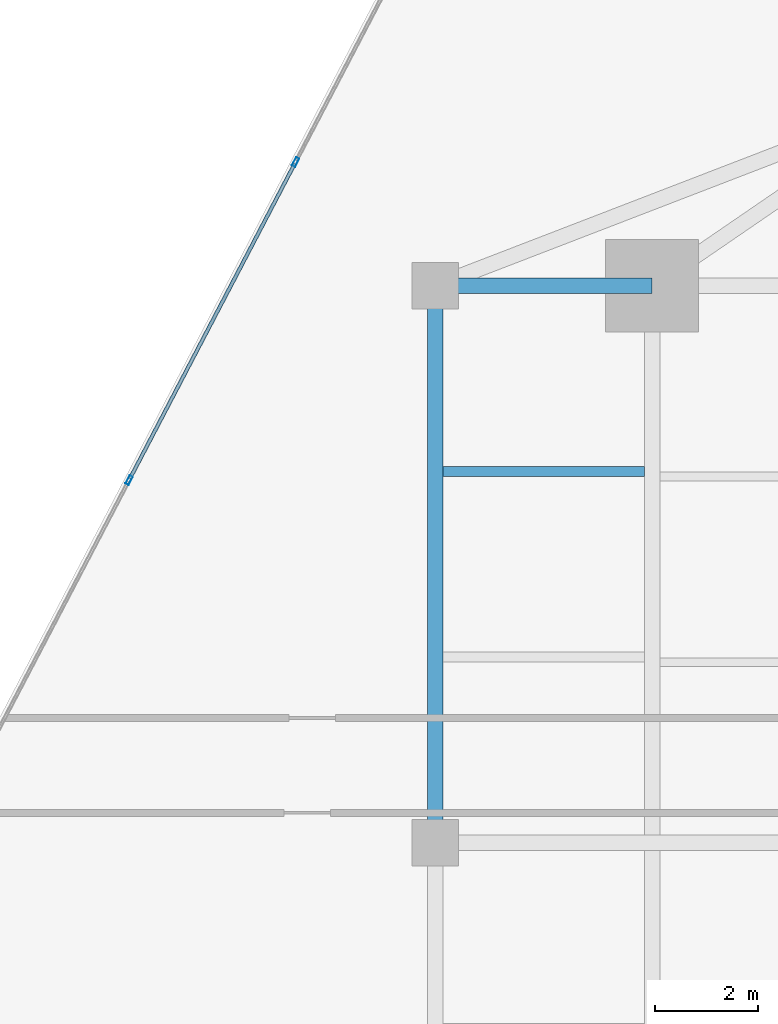
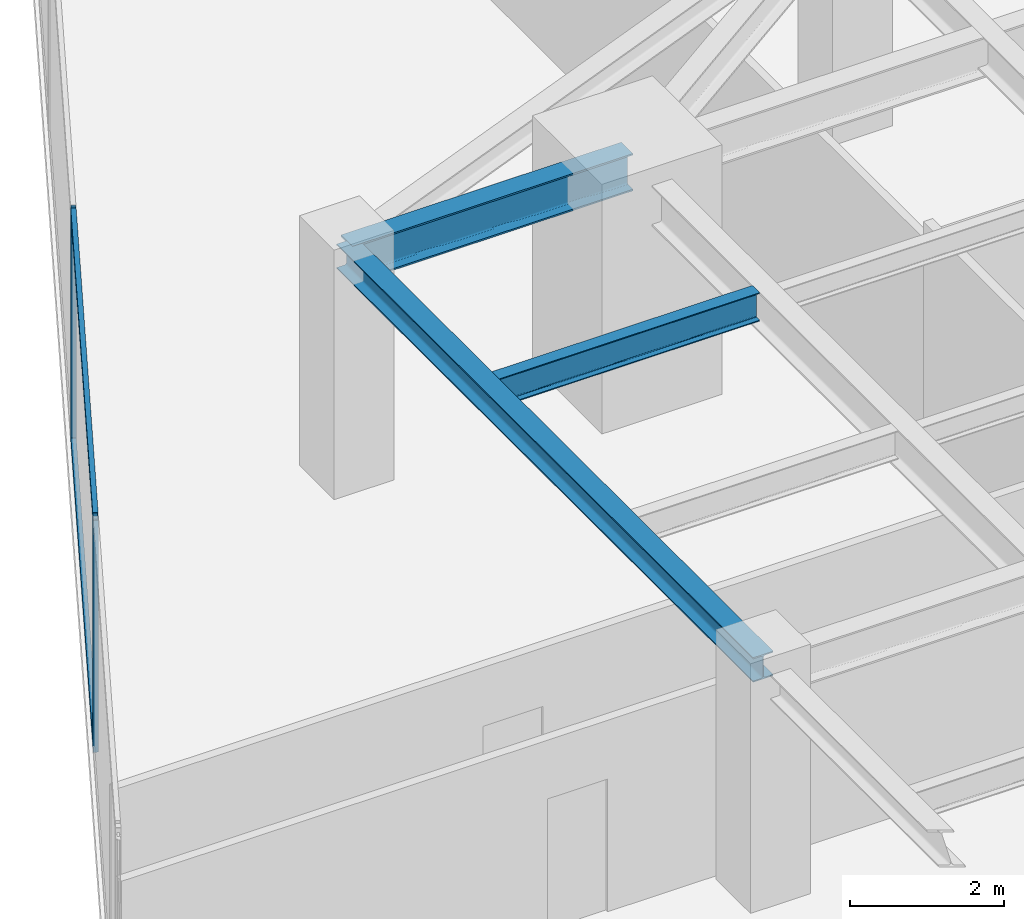
# One storey, part 13 of 27: 4 members, 3 beams, 1 element without a shape of its own.
"""IFC4 building model written with IfcOpenShell, lengths in metres."""

from ifc_helpers import new_model, si_unit, direction, frame, origin, origin_2d, place, context, subcontext, project, spatial, hollow_rectangle, i_section, extrude, source, transform, mapped, material, material_profile, profile_set, type_object, type_shapes, element, aggregate, save


model = new_model("IFC4")

# Units and contexts
model_context = context("Model", 3, precision=1e-05, world=origin(), true_north=direction((0.0, 1.0)))
body_context = subcontext(model_context, "Body", "Model", "MODEL_VIEW")
ifc_project = project(units=[si_unit("LENGTHUNIT", "METRE"), si_unit("AREAUNIT", "SQUARE_METRE"), si_unit("VOLUMEUNIT", "CUBIC_METRE"), si_unit("PLANEANGLEUNIT", "RADIAN"), si_unit("MASSUNIT", "GRAM", prefix="KILO")], contexts=[model_context])

# Site, building, storey
site_placement = place(None, origin())
site = spatial("IfcSite", under=ifc_project, at=site_placement, CompositionType="ELEMENT")
building_placement = place(site_placement, origin())
building = spatial("IfcBuilding", under=site, at=building_placement, Name="Krantzveldt Concourse Tower", CompositionType="ELEMENT")
storey_placement = place(building_placement, frame((0.0, 0.0, 154.10009765625)))
storey = spatial("IfcBuildingStorey", under=building, at=storey_placement, Name="L37", CompositionType="ELEMENT", Elevation=154.10009765625)

# Beams
ifc_material_1 = material(Name="Steel S355JR", Category="steel")
ifc_material_profile_1 = material_profile(ifc_material_1, i_section(OverallWidth=0.300048828125, OverallDepth=0.590087890625, WebThickness=0.012939453125, FlangeThickness=0.02490234375, FilletRadius=0.027099609375, at=origin_2d()), Name="Steel S355JR", Category="steel")
ifc_profile_set_1 = profile_set([ifc_material_profile_1], Name="Steel S355JR - HEA 600")
beam_type_1 = type_object("IfcBeamType", Name="BM-B-HEA600", PredefinedType="BEAM", material=ifc_profile_set_1)
shared_shape_1 = source(origin(), body_context, "Body", "SweptSolid", [
    extrude(i_section(OverallWidth=0.300048828125, OverallDepth=0.590087890625, WebThickness=0.012939453125, FlangeThickness=0.02490234375, FilletRadius=0.027099609375, at=origin_2d()), origin(), (0.0, 0.0, 1.0), 4.199951171875),
])
type_shapes(beam_type_1, [shared_shape_1])
beam_1_placement = place(storey_placement, frame((21.0, 37.5, 3.375), z_axis=(1.0, 0.0, 0.0), x_axis=(0.0, 1.0, 0.0)))
element("IfcBeam", 1, at=beam_1_placement, inside=storey, type_object=beam_type_1, Name="L37 Tower Girder BR-RL3", PredefinedType="BEAM", context=body_context, shape_type="MappedRepresentation", body=[
    mapped(shared_shape_1, transform((0.0, 0.0, 0.0), x_axis=(1.0, 0.0, 0.0), y_axis=(0.0, 1.0, 0.0), z_axis=(0.0, 0.0, 1.0), scale=1.0)),
])
ifc_material_profile_2 = material_profile(ifc_material_1, i_section(OverallWidth=0.300048828125, OverallDepth=0.389892578125, WebThickness=0.010986328125, FlangeThickness=0.01904296875, FilletRadius=0.027099609375, at=origin_2d()), Name="Steel S355JR", Category="steel")
ifc_profile_set_2 = profile_set([ifc_material_profile_2], Name="Steel S355JR - HEA 400")
beam_type_2 = type_object("IfcBeamType", Name="BM-SP-HEA400", PredefinedType="SPANDREL", material=ifc_profile_set_2)
shared_shape_2 = source(origin(), body_context, "Body", "SweptSolid", [
    extrude(i_section(OverallWidth=0.300048828125, OverallDepth=0.389892578125, WebThickness=0.010986328125, FlangeThickness=0.01904296875, FilletRadius=0.027099609375, at=origin_2d()), origin(), (0.0, 0.0, 1.0), 10.800048828125),
])
type_shapes(beam_type_2, [shared_shape_2])
beam_2_placement = place(storey_placement, frame((21.0, 26.699951171875, 3.474853515625), z_axis=(0.0, 1.0, 0.0), x_axis=(-1.0, 0.0, 0.0)))
element("IfcBeam", 2, at=beam_2_placement, inside=storey, type_object=beam_type_2, Name="L37 Tower Girder SP-R02", PredefinedType="SPANDREL", context=body_context, shape_type="MappedRepresentation", body=[
    mapped(shared_shape_2, transform((0.0, 0.0, 0.0), x_axis=(1.0, 0.0, 0.0), y_axis=(0.0, 1.0, 0.0), z_axis=(0.0, 0.0, 1.0), scale=1.0)),
])
ifc_material_profile_3 = material_profile(ifc_material_1, i_section(OverallWidth=0.18994140625, OverallDepth=0.449951171875, WebThickness=0.009521484375, FlangeThickness=0.0146484375, FilletRadius=0.02099609375, at=origin_2d()), Name="Steel S355JR", Category="steel")
ifc_profile_set_3 = profile_set([ifc_material_profile_3], Name="Steel S355JR - IPE 450")
beam_type_3 = type_object("IfcBeamType", Name="BM-J-IPE450", PredefinedType="JOIST", material=ifc_profile_set_3)
shared_shape_3 = source(origin(), body_context, "Body", "SweptSolid", [
    extrude(i_section(OverallWidth=0.18994140625, OverallDepth=0.449951171875, WebThickness=0.009521484375, FlangeThickness=0.0146484375, FilletRadius=0.02099609375, at=origin_2d()), origin(), (0.0, 0.0, 1.0), 3.900146484375),
])
type_shapes(beam_type_3, [shared_shape_3])
beam_3_placement = place(storey_placement, frame((21.14990234375, 33.89990234375, 3.44482421875), z_axis=(1.0, 0.0, 0.0), x_axis=(0.0, 1.0, 0.0)))
element("IfcBeam", 3, at=beam_3_placement, inside=storey, type_object=beam_type_3, Name="L37 Secondary Floor Joist JW-4", PredefinedType="JOIST", context=body_context, shape_type="MappedRepresentation", body=[
    mapped(shared_shape_3, transform((0.0, 0.0, 0.0), x_axis=(1.0, 0.0, 0.0), y_axis=(0.0, 1.0, 0.0), z_axis=(0.0, 0.0, 1.0), scale=1.0)),
])

# Curtain wall, members
ifc_material_2 = material(Name="Anodised aluminium 6063-T6", Category="aluminium")
curtain_wall_type = type_object("IfcCurtainWallType", Name="CW3", PredefinedType="USERDEFINED", material=ifc_material_2)
curtain_wall_placement = place(storey_placement, origin())
curtain_wall = element("IfcCurtainWall", 4, at=curtain_wall_placement, inside=storey, type_object=curtain_wall_type, Name="CW-L37-F01", ObjectType="UNITISED CURTAIN WALL", PredefinedType="USERDEFINED")
ifc_material_profile_4 = material_profile(ifc_material_2, hollow_rectangle(XDim=0.070068359375, YDim=0.179931640625, WallThickness=0.0048828125, at=origin_2d()), Name="Anodised aluminium 6063-T6", Category="aluminium")
ifc_profile_set_4 = profile_set([ifc_material_profile_4], Name="Anodised aluminium 6063-T6 - ALU-MULL 180x70x5")
member_type_1 = type_object("IfcMemberType", Name="CW-MUL-180", PredefinedType="MULLION", material=ifc_profile_set_4)
shared_shape_4 = source(origin(), body_context, "Body", "SweptSolid", [
    extrude(hollow_rectangle(XDim=0.070068359375, YDim=0.179931640625, WallThickness=0.0048828125, at=origin_2d()), origin(), (0.0, 0.0, 1.0), 3.669921875),
])
type_shapes(member_type_1, [shared_shape_4])
member_1_placement = place(storey_placement, frame((18.2900390625, 39.896240234375, 0.0), z_axis=(0.0, 0.0, 1.0), x_axis=(0.886001265743, -0.463682819502, 0.0)))
member_1 = element("IfcMember", 5, at=member_1_placement, type_object=member_type_1, Name="CW-Z34 mullion 3", PredefinedType="MULLION", context=body_context, shape_type="MappedRepresentation", body=[
    mapped(shared_shape_4, transform((0.0, 0.0, 0.0), x_axis=(1.0, 0.0, 0.0), y_axis=(0.0, 1.0, 0.0), z_axis=(0.0, 0.0, 1.0), scale=1.0)),
])
member_2_placement = place(storey_placement, frame((15.062744140625, 33.729736328125, 0.0), z_axis=(0.0, 0.0, 1.0), x_axis=(0.886001265743, -0.463682819502, 0.0)))
member_2 = element("IfcMember", 6, at=member_2_placement, type_object=member_type_1, Name="CW-Z34 mullion 4", PredefinedType="MULLION", context=body_context, shape_type="MappedRepresentation", body=[
    mapped(shared_shape_4, transform((0.0, 0.0, 0.0), x_axis=(1.0, 0.0, 0.0), y_axis=(0.0, 1.0, 0.0), z_axis=(0.0, 0.0, 1.0), scale=1.0)),
])
ifc_material_profile_5 = material_profile(ifc_material_2, hollow_rectangle(XDim=0.070068359375, YDim=0.139892578125, WallThickness=0.0048828125, at=origin_2d()), Name="Anodised aluminium 6063-T6", Category="aluminium")
ifc_profile_set_5 = profile_set([ifc_material_profile_5], Name="Anodised aluminium 6063-T6 - ALU-TRAN 140x70x5")
member_type_2 = type_object("IfcMemberType", Name="CW-TRN-150", PredefinedType="USERDEFINED", material=ifc_profile_set_5)
shared_shape_5 = source(origin(), body_context, "Body", "SweptSolid", [
    extrude(hollow_rectangle(XDim=0.070068359375, YDim=0.139892578125, WallThickness=0.0048828125, at=origin_2d()), origin(), (0.0, 0.0, 1.0), 6.889892578125),
])
type_shapes(member_type_2, [shared_shape_5])
member_3_placement = place(storey_placement, frame((18.273681640625, 39.865234375, 0.034912109375), z_axis=(-0.46369184059, -0.885996544559, 0.0), x_axis=(0.885996544559, -0.46369184059, 0.0)))
member_3 = element("IfcMember", 7, at=member_3_placement, type_object=member_type_2, Name="CW-Z34 transom 3.1", ObjectType="TRANSOM", PredefinedType="USERDEFINED", context=body_context, shape_type="MappedRepresentation", body=[
    mapped(shared_shape_5, transform((0.0, 0.0, 0.0), x_axis=(1.0, 0.0, 0.0), y_axis=(0.0, 1.0, 0.0), z_axis=(0.0, 0.0, 1.0), scale=1.0)),
])
member_4_placement = place(storey_placement, frame((18.273681640625, 39.865234375, 3.635009765625), z_axis=(-0.46369184059, -0.885996544559, 0.0), x_axis=(0.885996544559, -0.46369184059, 0.0)))
member_4 = element("IfcMember", 8, at=member_4_placement, type_object=member_type_2, Name="CW-Z34 transom 3.2", ObjectType="TRANSOM", PredefinedType="USERDEFINED", context=body_context, shape_type="MappedRepresentation", body=[
    mapped(shared_shape_5, transform((0.0, 0.0, 0.0), x_axis=(1.0, 0.0, 0.0), y_axis=(0.0, 1.0, 0.0), z_axis=(0.0, 0.0, 1.0), scale=1.0)),
])
aggregate(curtain_wall, [member_1, member_2, member_3, member_4])

save(model, "model.ifc")
